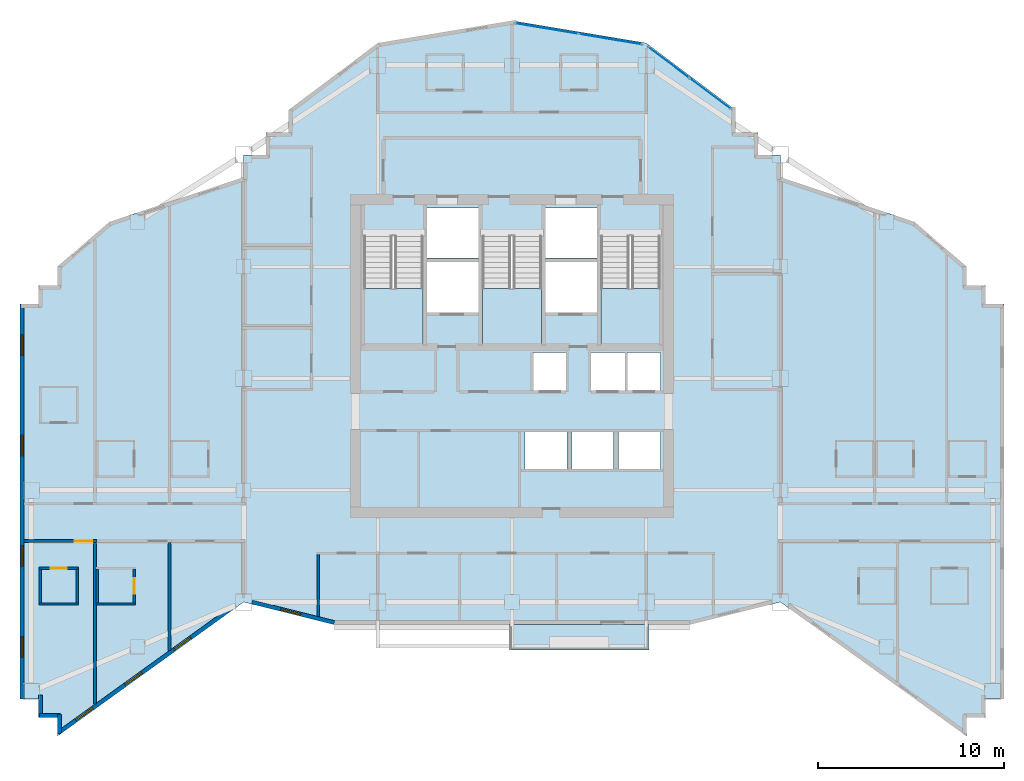
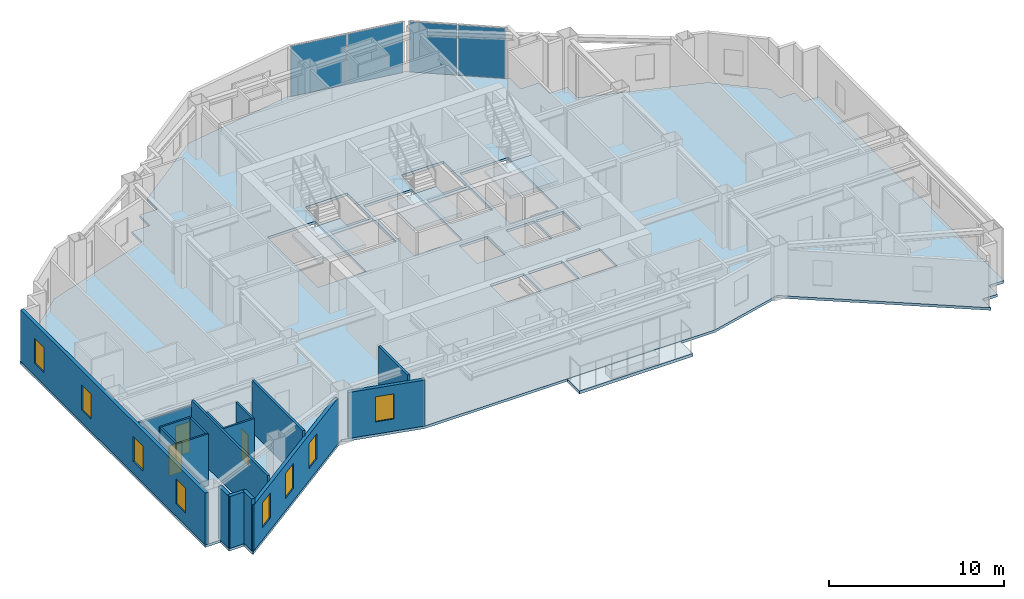
# One storey, part 4 of 11: 17 walls, 8 windows, 5 slabs, 4 plates, 3 doors, 11 openings, 5 elements without a shape of their own.
"""IFC4 building model written with IfcOpenShell, lengths in metres."""

from ifc_helpers import new_model, si_unit, direction, frame, frame_2d, origin, origin_2d, place, context, subcontext, project, spatial, polyline, rectangle, outline, extrude, material, layer, layer_set, type_object, element, fill, aggregate, save


model = new_model("IFC4")

# Units and contexts
model_context = context("Model", 3, precision=1e-05, world=origin(), true_north=direction((0.0, 1.0)))
body_context = subcontext(model_context, "Body", "Model", "MODEL_VIEW")
ifc_project = project(units=[si_unit("LENGTHUNIT", "METRE"), si_unit("AREAUNIT", "SQUARE_METRE"), si_unit("VOLUMEUNIT", "CUBIC_METRE"), si_unit("PLANEANGLEUNIT", "RADIAN"), si_unit("MASSUNIT", "GRAM", prefix="KILO")], contexts=[model_context])

# Site, building, storey
site_placement = place(None, origin())
site = spatial("IfcSite", under=ifc_project, at=site_placement, CompositionType="ELEMENT")
building_placement = place(site_placement, origin())
building = spatial("IfcBuilding", under=site, at=building_placement, Name="Haolan Belvedere Tower", CompositionType="ELEMENT")
storey_placement = place(building_placement, frame((0.0, 0.0, 211.60009765625)))
storey = spatial("IfcBuildingStorey", under=building, at=storey_placement, Name="L53", CompositionType="ELEMENT", Elevation=211.60009765625)

# Curtain wall, plates
ifc_material_1 = material(Name="Anodised champagne-silver aluminium 6063-T6 and Low-E glass", Category="aluminium")
ifc_layer_1 = layer(ifc_material_1, 0.14990234375, Name="Anodised champagne-silver aluminium 6063-T6 and Low-E glass")
ifc_layer_set_1 = layer_set([ifc_layer_1], Name="Anodised champagne-silver aluminium 6063-T6 and Low-E glass")
curtain_wall_type = type_object("IfcCurtainWallType", Name="CW-SYS-04", PredefinedType="NOTDEFINED", material=ifc_layer_set_1)
curtain_wall_1_placement = place(storey_placement, origin())
curtain_wall_1 = element("IfcCurtainWall", 1, at=curtain_wall_1_placement, inside=storey, type_object=curtain_wall_type, Name="L53 CW-SYS-04 ribbon curtain wall 20.1", PredefinedType="NOTDEFINED")
ifc_material_2 = material(Name="Double silver Low-E laminated insulating glass", Category="glass")
ifc_layer_2 = layer(ifc_material_2, 0.02392578125, Name="Double silver Low-E laminated insulating glass")
ifc_layer_set_2 = layer_set([ifc_layer_2], Name="Double silver Low-E laminated insulating glass")
plate_type = type_object("IfcPlateType", Name="CW-SYS-04-PNL", PredefinedType="CURTAIN_PANEL", material=ifc_layer_set_2)
plate_1_placement = place(storey_placement, frame((49.0390625, 48.883056640625, 0.0517578125), z_axis=(0.0, 0.0, 1.0), x_axis=(-0.799997871638, 0.600002837806, 0.0)))
plate_1 = element("IfcPlate", 2, at=plate_1_placement, type_object=plate_type, Name="CW-04 panel 1.1", PredefinedType="CURTAIN_PANEL", context=body_context, shape_type="SweptSolid", body=[
    extrude(rectangle(XDim=2.735107421875, YDim=0.02392578125, at=origin_2d()), origin(), (0.0, 0.0, 1.0), 3.51611328125),
])
plate_2_placement = place(storey_placement, frame((46.806396484375, 50.557861328125, 0.0517578125), z_axis=(0.0, 0.0, 1.0), x_axis=(-0.799997871638, 0.600002837806, 0.0)))
plate_2 = element("IfcPlate", 3, at=plate_2_placement, type_object=plate_type, Name="CW-04 panel 2.1", PredefinedType="CURTAIN_PANEL", context=body_context, shape_type="SweptSolid", body=[
    extrude(rectangle(XDim=2.735107421875, YDim=0.02392578125, at=origin_2d()), origin(), (0.0, 0.0, 1.0), 3.51611328125),
])
aggregate(curtain_wall_1, [plate_1, plate_2])

curtain_wall_2_placement = place(storey_placement, origin())
curtain_wall_2 = element("IfcCurtainWall", 4, at=curtain_wall_2_placement, inside=storey, type_object=curtain_wall_type, Name="L53 CW-SYS-04 ribbon curtain wall 21.1", PredefinedType="NOTDEFINED")
plate_3_placement = place(storey_placement, frame((43.683837890625, 51.807861328125, 0.0517578125), z_axis=(0.0, 0.0, 1.0), x_axis=(-0.98639276122, 0.164405962825, 0.0)))
plate_3 = element("IfcPlate", 5, at=plate_3_placement, type_object=plate_type, Name="CW-04 panel 1.1", PredefinedType="CURTAIN_PANEL", context=body_context, shape_type="SweptSolid", body=[
    extrude(rectangle(XDim=3.403076171875, YDim=0.02392578125, at=origin_2d()), origin(), (0.0, 0.0, 1.0), 3.51611328125),
])
plate_4_placement = place(storey_placement, frame((40.271728515625, 52.37646484375, 0.0517578125), z_axis=(0.0, 0.0, 1.0), x_axis=(-0.98639276122, 0.164405962825, 0.0)))
plate_4 = element("IfcPlate", 6, at=plate_4_placement, type_object=plate_type, Name="CW-04 panel 2.1", PredefinedType="CURTAIN_PANEL", context=body_context, shape_type="SweptSolid", body=[
    extrude(rectangle(XDim=3.403076171875, YDim=0.02392578125, at=origin_2d()), origin(), (0.0, 0.0, 1.0), 3.51611328125),
])
aggregate(curtain_wall_2, [plate_3, plate_4])

# Slabs
ifc_material_3 = material(Name="Concrete C40/50", Category="concrete")
ifc_layer_3 = layer(ifc_material_3, 0.2099609375, Name="Concrete C40/50")
ifc_layer_set_3 = layer_set([ifc_layer_3], Name="Concrete C40/50")
slab_type_1 = type_object("IfcSlabType", Name="SL-BAL-210", PredefinedType="FLOOR", material=ifc_layer_set_3)
slab_1_placement = place(storey_placement, frame((0.0, 0.0, -0.22998046875)))
element("IfcSlab", 7, at=slab_1_placement, inside=storey, type_object=slab_type_1, Name="L53 structural tree-planter balcony slab BAL-L53-S1", PredefinedType="FLOOR", context=body_context, shape_type="SweptSolid", body=[
    extrude(outline(polyline([(38.25, 19.02001953125), (45.75, 19.02001953125), (45.75, 20.39990234375), (38.25, 20.39990234375), (38.25, 19.02001953125)])), origin(), (0.0, 0.0, 1.0), 0.2099609375),
])
ifc_layer_4 = layer(ifc_material_3, 0.179931640625, Name="Concrete C40/50")
ifc_layer_set_4 = layer_set([ifc_layer_4], Name="Concrete C40/50")
slab_type_2 = type_object("IfcSlabType", Name="SL-FLR-180", PredefinedType="FLOOR", material=ifc_layer_set_4)
slab_2_placement = place(storey_placement, frame((0.0, 0.0, -0.18017578125)))
element("IfcSlab", 8, at=slab_2_placement, inside=storey, type_object=slab_type_2, Name="L53 structural floor slab", PredefinedType="FLOOR", context=body_context, shape_type="SweptSolid", body=[
    extrude(outline(polyline([(24.0, 21.60009765625), (28.800048828125, 20.39990234375), (48.0, 20.39990234375), (52.800048828125, 21.60009765625), (62.800048828125, 14.39990234375), (62.800048828125, 15.39990234375), (63.800048828125, 15.39990234375), (63.800048828125, 16.39990234375), (64.800048828125, 16.39990234375), (64.800048828125, 37.60009765625), (63.800048828125, 37.60009765625), (63.800048828125, 38.60009765625), (62.800048828125, 38.60009765625), (62.800048828125, 39.60009765625), (60.0, 42.0), (52.800048828125, 44.39990234375), (52.800048828125, 45.60009765625), (51.60009765625, 45.60009765625), (51.60009765625, 46.800048828125), (50.39990234375, 46.800048828125), (50.39990234375, 48.0), (45.60009765625, 51.60009765625), (38.39990234375, 52.800048828125), (31.199951171875, 51.60009765625), (26.39990234375, 48.0), (26.39990234375, 46.800048828125), (25.199951171875, 46.800048828125), (25.199951171875, 45.60009765625), (24.0, 45.60009765625), (24.0, 44.39990234375), (16.800048828125, 42.0), (14.0, 39.60009765625), (14.0, 38.60009765625), (13.0, 38.60009765625), (13.0, 37.60009765625), (12.0, 37.60009765625), (12.0, 16.800048828125), (12.0, 16.39990234375), (13.0, 16.39990234375), (13.0, 15.39990234375), (14.0, 15.39990234375), (14.0, 14.39990234375), (24.0, 21.60009765625)]), holes=[polyline([(30.449951171875, 41.22998046875), (30.449951171875, 35.449951171875), (33.6298828125, 35.449951171875), (33.6298828125, 41.22998046875), (30.449951171875, 41.22998046875)]), polyline([(36.81005859375, 41.22998046875), (36.81005859375, 35.449951171875), (39.989990234375, 35.449951171875), (39.989990234375, 41.22998046875), (36.81005859375, 41.22998046875)]), polyline([(43.169921875, 41.22998046875), (43.169921875, 35.449951171875), (46.35009765625, 35.449951171875), (46.35009765625, 41.22998046875), (43.169921875, 41.22998046875)]), polyline([(33.830078125, 40.050048828125), (36.610107421875, 40.050048828125), (36.610107421875, 42.75), (33.830078125, 42.75), (33.830078125, 40.050048828125)]), polyline([(33.830078125, 37.14990234375), (36.610107421875, 37.14990234375), (36.610107421875, 39.85009765625), (33.830078125, 39.85009765625), (33.830078125, 37.14990234375)]), polyline([(40.18994140625, 40.050048828125), (42.969970703125, 40.050048828125), (42.969970703125, 42.75), (40.18994140625, 42.75), (40.18994140625, 40.050048828125)]), polyline([(40.18994140625, 37.14990234375), (42.969970703125, 37.14990234375), (42.969970703125, 39.85009765625), (40.18994140625, 39.85009765625), (40.18994140625, 37.14990234375)]), polyline([(39.5400390625, 32.949951171875), (41.389892578125, 32.949951171875), (41.389892578125, 35.0), (39.5400390625, 35.0), (39.5400390625, 32.949951171875)]), polyline([(42.6201171875, 32.949951171875), (44.469970703125, 32.949951171875), (44.469970703125, 35.0), (42.6201171875, 35.0), (42.6201171875, 32.949951171875)]), polyline([(44.580078125, 32.949951171875), (46.3798828125, 32.949951171875), (46.3798828125, 35.0), (44.580078125, 35.0), (44.580078125, 32.949951171875)]), polyline([(39.10009765625, 28.75), (41.340087890625, 28.75), (41.340087890625, 30.75), (39.10009765625, 30.75), (39.10009765625, 28.75)]), polyline([(41.610107421875, 28.75), (43.85009765625, 28.75), (43.85009765625, 30.75), (41.610107421875, 30.75), (41.610107421875, 28.75)]), polyline([(44.1201171875, 28.75), (46.360107421875, 28.75), (46.360107421875, 30.75), (44.1201171875, 30.75), (44.1201171875, 28.75)])]), origin(), (0.0, 0.0, 1.0), 0.18017578125),
])

# Stair, slab
stair_type = type_object("IfcStairType", Name="STR-DL-22R-173", PredefinedType="HALF_TURN_STAIR", material=ifc_material_3)
stair_1_placement = place(storey_placement, origin())
stair_1 = element("IfcStair", 9, at=stair_1_placement, inside=storey, type_object=stair_type, Name="L53 Smokeproof Core Exit Stair ST1", PredefinedType="HALF_TURN_STAIR")
ifc_layer_5 = layer(ifc_material_3, 0.199951171875, Name="Concrete C40/50")
ifc_layer_set_5 = layer_set([ifc_layer_5], Name="Concrete C40/50")
slab_type_3 = type_object("IfcSlabType", Name="SL-LAND-200", PredefinedType="LANDING", material=ifc_layer_set_5)
slab_3_placement = place(storey_placement, frame((0.0, 0.0, 1.699951171875)))
slab_3 = element("IfcSlab", 10, at=slab_3_placement, type_object=slab_type_3, Name="ST1 landing 1", PredefinedType="LANDING", context=body_context, shape_type="SweptSolid", body=[
    extrude(outline(polyline([(30.449951171875, 38.429931640625), (30.449951171875, 35.449951171875), (33.6298828125, 35.449951171875), (33.6298828125, 38.429931640625), (30.449951171875, 38.429931640625)])), origin(), (0.0, 0.0, 1.0), 0.199951171875),
])
aggregate(stair_1, [slab_3])

stair_2_placement = place(storey_placement, origin())
stair_2 = element("IfcStair", 11, at=stair_2_placement, inside=storey, type_object=stair_type, Name="L53 Smokeproof Core Exit Stair ST3", PredefinedType="HALF_TURN_STAIR")
slab_4_placement = place(storey_placement, frame((0.0, 0.0, 1.699951171875)))
slab_4 = element("IfcSlab", 12, at=slab_4_placement, type_object=slab_type_3, Name="ST3 landing 1", PredefinedType="LANDING", context=body_context, shape_type="SweptSolid", body=[
    extrude(outline(polyline([(36.81005859375, 38.429931640625), (36.81005859375, 35.449951171875), (39.989990234375, 35.449951171875), (39.989990234375, 38.429931640625), (36.81005859375, 38.429931640625)])), origin(), (0.0, 0.0, 1.0), 0.199951171875),
])
aggregate(stair_2, [slab_4])

stair_3_placement = place(storey_placement, origin())
stair_3 = element("IfcStair", 13, at=stair_3_placement, inside=storey, type_object=stair_type, Name="L53 Smokeproof Core Exit Stair ST2", PredefinedType="HALF_TURN_STAIR")
slab_5_placement = place(storey_placement, frame((0.0, 0.0, 1.699951171875)))
slab_5 = element("IfcSlab", 14, at=slab_5_placement, type_object=slab_type_3, Name="ST2 landing 1", PredefinedType="LANDING", context=body_context, shape_type="SweptSolid", body=[
    extrude(outline(polyline([(43.169921875, 38.429931640625), (43.169921875, 35.449951171875), (46.35009765625, 35.449951171875), (46.35009765625, 38.429931640625), (43.169921875, 38.429931640625)])), origin(), (0.0, 0.0, 1.0), 0.199951171875),
])
aggregate(stair_3, [slab_5])

# Wall, openings, windows
ifc_material_4 = material(Name="Precast concrete C40/50", Category="concrete")
ifc_layer_6 = layer(ifc_material_4, 0.219970703125, Name="Precast concrete C40/50")
ifc_layer_set_6 = layer_set([ifc_layer_6], Name="Precast concrete C40/50")
wall_type_1 = type_object("IfcWallType", Name="WL-EXT-220", PredefinedType="SOLIDWALL", material=ifc_layer_set_6)
wall_1_placement = place(storey_placement, frame((12.110107421875, 37.544921875, 0.0), z_axis=(0.0, 0.0, 1.0), x_axis=(0.0, -1.0, 0.0)))
wall_1 = element("IfcWall", 15, at=wall_1_placement, inside=storey, type_object=wall_type_1, Name="L53 pale-metal exterior spandrel wall 35.1", PredefinedType="SOLIDWALL", context=body_context, shape_type="SweptSolid", body=[
    extrude(rectangle(XDim=21.14501953125, YDim=0.219970703125, at=frame_2d((10.572509765625, 0.0))), origin(), (0.0, 0.0, 1.0), 3.619873046875),
])
opening_1_placement = place(wall_1_placement, frame((1.60009765625, 0.0, 0.85009765625)))
opening_1 = element("IfcOpeningElement", 16, at=opening_1_placement, cuts=wall_1, Name="Opening W-03", PredefinedType="OPENING", context=body_context, shape_type="SweptSolid", body=[
    extrude(rectangle(XDim=1.10009765625, YDim=1.75, at=frame_2d((0.550048828125, 0.875))), frame((0.0, 0.119873046875, 0.0), z_axis=(0.0, -1.0, 0.0), x_axis=(1.0, 0.0, 0.0)), (0.0, 0.0, 1.0), 0.239990234375),
])
opening_2_placement = place(wall_1_placement, frame((7.0, 0.0, 0.85009765625)))
opening_2 = element("IfcOpeningElement", 17, at=opening_2_placement, cuts=wall_1, Name="Opening W-03", PredefinedType="OPENING", context=body_context, shape_type="SweptSolid", body=[
    extrude(rectangle(XDim=1.10009765625, YDim=1.75, at=frame_2d((0.550048828125, 0.875))), frame((0.0, 0.119873046875, 0.0), z_axis=(0.0, -1.0, 0.0), x_axis=(1.0, 0.0, 0.0)), (0.0, 0.0, 1.0), 0.239990234375),
])
opening_3_placement = place(wall_1_placement, frame((12.909912109375, 0.0, 0.85009765625)))
opening_3 = element("IfcOpeningElement", 18, at=opening_3_placement, cuts=wall_1, Name="Opening W-03", PredefinedType="OPENING", context=body_context, shape_type="SweptSolid", body=[
    extrude(rectangle(XDim=1.10009765625, YDim=1.75, at=frame_2d((0.550048828125, 0.875))), frame((0.0, 0.119873046875, 0.0), z_axis=(0.0, -1.0, 0.0), x_axis=(1.0, 0.0, 0.0)), (0.0, 0.0, 1.0), 0.239990234375),
])
opening_4_placement = place(wall_1_placement, frame((17.800048828125, 0.0, 0.85009765625)))
opening_4 = element("IfcOpeningElement", 19, at=opening_4_placement, cuts=wall_1, Name="Opening W-03", PredefinedType="OPENING", context=body_context, shape_type="SweptSolid", body=[
    extrude(rectangle(XDim=1.10009765625, YDim=1.75, at=frame_2d((0.550048828125, 0.875))), frame((0.0, 0.119873046875, 0.0), z_axis=(0.0, -1.0, 0.0), x_axis=(1.0, 0.0, 0.0)), (0.0, 0.0, 1.0), 0.239990234375),
])
ifc_material_5 = material(Name="Anodised aluminium 6063-T6 and Low-E glass", Category="aluminium")
window_type = type_object("IfcWindowType", Name="WN-DECO-Z3", PartitioningType="SINGLE_PANEL", PredefinedType="WINDOW", material=ifc_material_5)
window_1_placement = place(opening_1_placement, origin())
window_1 = element("IfcWindow", 20, at=window_1_placement, inside=storey, type_object=window_type, Name="L53 Art Deco chevron window 1", OverallHeight=1.75, OverallWidth=1.10009765625, PartitioningType="SINGLE_PANEL", PredefinedType="WINDOW", context=body_context, shape_type="SweptSolid", body=[
    extrude(rectangle(XDim=1.10009765625, YDim=1.75, at=frame_2d((0.550048828125, 0.875))), frame((0.0, 0.030029296875, 0.0), z_axis=(0.0, -1.0, 0.0), x_axis=(1.0, 0.0, 0.0)), (0.0, 0.0, 1.0), 0.06005859375),
])
fill(opening_1, window_1)
window_2_placement = place(opening_2_placement, origin())
window_2 = element("IfcWindow", 21, at=window_2_placement, inside=storey, type_object=window_type, Name="L53 Art Deco chevron window 2", OverallHeight=1.75, OverallWidth=1.10009765625, PartitioningType="SINGLE_PANEL", PredefinedType="WINDOW", context=body_context, shape_type="SweptSolid", body=[
    extrude(rectangle(XDim=1.10009765625, YDim=1.75, at=frame_2d((0.550048828125, 0.875))), frame((0.0, 0.030029296875, 0.0), z_axis=(0.0, -1.0, 0.0), x_axis=(1.0, 0.0, 0.0)), (0.0, 0.0, 1.0), 0.06005859375),
])
fill(opening_2, window_2)
window_3_placement = place(opening_3_placement, origin())
window_3 = element("IfcWindow", 22, at=window_3_placement, inside=storey, type_object=window_type, Name="L53 Art Deco chevron window 3", OverallHeight=1.75, OverallWidth=1.10009765625, PartitioningType="SINGLE_PANEL", PredefinedType="WINDOW", context=body_context, shape_type="SweptSolid", body=[
    extrude(rectangle(XDim=1.10009765625, YDim=1.75, at=frame_2d((0.550048828125, 0.875))), frame((0.0, 0.030029296875, 0.0), z_axis=(0.0, -1.0, 0.0), x_axis=(1.0, 0.0, 0.0)), (0.0, 0.0, 1.0), 0.06005859375),
])
fill(opening_3, window_3)
window_4_placement = place(opening_4_placement, origin())
window_4 = element("IfcWindow", 23, at=window_4_placement, inside=storey, type_object=window_type, Name="L53 Art Deco chevron window 4", OverallHeight=1.75, OverallWidth=1.10009765625, PartitioningType="SINGLE_PANEL", PredefinedType="WINDOW", context=body_context, shape_type="SweptSolid", body=[
    extrude(rectangle(XDim=1.10009765625, YDim=1.75, at=frame_2d((0.550048828125, 0.875))), frame((0.0, 0.030029296875, 0.0), z_axis=(0.0, -1.0, 0.0), x_axis=(1.0, 0.0, 0.0)), (0.0, 0.0, 1.0), 0.06005859375),
])
fill(opening_4, window_4)

# Walls
wall_2_placement = place(storey_placement, frame((13.110107421875, 16.6201171875, 0.0), z_axis=(0.0, 0.0, 1.0), x_axis=(0.0, -1.0, 0.0)))
element("IfcWall", 24, at=wall_2_placement, inside=storey, type_object=wall_type_1, Name="L53 pale-metal exterior spandrel wall 37.1", PredefinedType="SOLIDWALL", context=body_context, shape_type="SweptSolid", body=[
    extrude(rectangle(XDim=1.1650390625, YDim=0.219970703125, at=frame_2d((0.58251953125, 0.0))), origin(), (0.0, 0.0, 1.0), 3.619873046875),
])
wall_3_placement = place(storey_placement, frame((13.054931640625, 15.510009765625, 0.0), z_axis=(0.0, 0.0, 1.0), x_axis=(1.0, 0.0, 0.0)))
element("IfcWall", 25, at=wall_3_placement, inside=storey, type_object=wall_type_1, Name="L53 pale-metal exterior spandrel wall 38.1", PredefinedType="SOLIDWALL", context=body_context, shape_type="SweptSolid", body=[
    extrude(rectangle(XDim=1.110107421875, YDim=0.219970703125, at=frame_2d((0.55517578125, 0.0))), origin(), (0.0, 0.0, 1.0), 3.619873046875),
])
wall_4_placement = place(storey_placement, frame((14.110107421875, 15.56494140625, 0.0), z_axis=(0.0, 0.0, 1.0), x_axis=(0.0, -1.0, 0.0)))
element("IfcWall", 26, at=wall_4_placement, inside=storey, type_object=wall_type_1, Name="L53 pale-metal exterior spandrel wall 39.1", PredefinedType="SOLIDWALL", context=body_context, shape_type="SweptSolid", body=[
    extrude(rectangle(XDim=1.005126953125, YDim=0.219970703125, at=frame_2d((0.50244140625, 0.0))), origin(), (0.0, 0.0, 1.0), 3.619873046875),
])

# Wall, openings, windows
wall_5_placement = place(storey_placement, frame((14.0654296875, 14.58251953125, 0.0), z_axis=(0.0, 0.0, 1.0), x_axis=(0.811534737332, 0.58430417601, 0.0)))
wall_5 = element("IfcWall", 27, at=wall_5_placement, inside=storey, type_object=wall_type_1, Name="L53 pale-metal exterior spandrel wall 40.1", PredefinedType="SOLIDWALL", context=body_context, shape_type="SweptSolid", body=[
    extrude(rectangle(XDim=11.697265625, YDim=0.219970703125, at=frame_2d((5.8486328125, 0.0))), origin(), (0.0, 0.0, 1.0), 3.21484375),
])
opening_5_placement = place(wall_5_placement, frame((1.1591796875, 0.0, 0.85009765625)))
opening_5 = element("IfcOpeningElement", 28, at=opening_5_placement, cuts=wall_5, Name="Opening W-03", PredefinedType="OPENING", context=body_context, shape_type="SweptSolid", body=[
    extrude(rectangle(XDim=1.10009765625, YDim=1.75, at=frame_2d((0.550048828125, 0.875))), frame((0.0, 0.119873046875, 0.0), z_axis=(0.0, -1.0, 0.0), x_axis=(1.0, 0.0, 0.0)), (0.0, 0.0, 1.0), 0.239990234375),
])
opening_6_placement = place(wall_5_placement, frame((7.64599609375, 0.0, 0.85009765625)))
opening_6 = element("IfcOpeningElement", 29, at=opening_6_placement, cuts=wall_5, Name="Opening W-03", PredefinedType="OPENING", context=body_context, shape_type="SweptSolid", body=[
    extrude(rectangle(XDim=1.10009765625, YDim=1.75, at=frame_2d((0.550048828125, 0.875))), frame((0.0, 0.119873046875, 0.0), z_axis=(0.0, -1.0, 0.0), x_axis=(1.0, 0.0, 0.0)), (0.0, 0.0, 1.0), 0.239990234375),
])
opening_7_placement = place(wall_5_placement, frame((4.402587890625, 0.0, 0.85009765625)))
opening_7 = element("IfcOpeningElement", 30, at=opening_7_placement, cuts=wall_5, Name="Opening W-03", PredefinedType="OPENING", context=body_context, shape_type="SweptSolid", body=[
    extrude(rectangle(XDim=1.10009765625, YDim=1.75, at=frame_2d((0.550048828125, 0.875))), frame((0.0, 0.119873046875, 0.0), z_axis=(0.0, -1.0, 0.0), x_axis=(1.0, 0.0, 0.0)), (0.0, 0.0, 1.0), 0.239990234375),
])
window_5_placement = place(opening_5_placement, origin())
window_5 = element("IfcWindow", 31, at=window_5_placement, inside=storey, type_object=window_type, Name="L53 Art Deco chevron window 1", OverallHeight=1.75, OverallWidth=1.10009765625, PartitioningType="SINGLE_PANEL", PredefinedType="WINDOW", context=body_context, shape_type="SweptSolid", body=[
    extrude(rectangle(XDim=1.10009765625, YDim=1.75, at=frame_2d((0.550048828125, 0.875))), frame((0.0, 0.030029296875, 0.0), z_axis=(0.0, -1.0, 0.0), x_axis=(1.0, 0.0, 0.0)), (0.0, 0.0, 1.0), 0.06005859375),
])
fill(opening_5, window_5)
window_6_placement = place(opening_6_placement, origin())
window_6 = element("IfcWindow", 32, at=window_6_placement, inside=storey, type_object=window_type, Name="L53 Art Deco chevron window 2", OverallHeight=1.75, OverallWidth=1.10009765625, PartitioningType="SINGLE_PANEL", PredefinedType="WINDOW", context=body_context, shape_type="SweptSolid", body=[
    extrude(rectangle(XDim=1.10009765625, YDim=1.75, at=frame_2d((0.550048828125, 0.875))), frame((0.0, 0.030029296875, 0.0), z_axis=(0.0, -1.0, 0.0), x_axis=(1.0, 0.0, 0.0)), (0.0, 0.0, 1.0), 0.06005859375),
])
fill(opening_6, window_6)
window_7_placement = place(opening_7_placement, origin())
window_7 = element("IfcWindow", 33, at=window_7_placement, inside=storey, type_object=window_type, Name="L53 Art Deco guestroom window 2", OverallHeight=1.75, OverallWidth=1.10009765625, PartitioningType="SINGLE_PANEL", PredefinedType="WINDOW", context=body_context, shape_type="SweptSolid", body=[
    extrude(rectangle(XDim=1.10009765625, YDim=1.75, at=frame_2d((0.550048828125, 0.875))), frame((0.0, 0.030029296875, 0.0), z_axis=(0.0, -1.0, 0.0), x_axis=(1.0, 0.0, 0.0)), (0.0, 0.0, 1.0), 0.06005859375),
])
fill(opening_7, window_7)

# Wall, opening, window
wall_6_placement = place(storey_placement, frame((24.44189453125, 21.602783203125, 0.0), z_axis=(0.0, 0.0, 1.0), x_axis=(0.970145648609, -0.242523030833, 0.0)))
wall_6 = element("IfcWall", 34, at=wall_6_placement, inside=storey, type_object=wall_type_1, Name="L53 pale-metal exterior spandrel wall 41.1", PredefinedType="SOLIDWALL", context=body_context, shape_type="SweptSolid", body=[
    extrude(rectangle(XDim=4.561279296875, YDim=0.219970703125, at=frame_2d((2.28076171875, 0.0))), origin(), (0.0, 0.0, 1.0), 3.21484375),
])
opening_8_placement = place(wall_6_placement, frame((1.60009765625, 0.0, 0.85009765625)))
opening_8 = element("IfcOpeningElement", 35, at=opening_8_placement, cuts=wall_6, Name="Opening W-03", PredefinedType="OPENING", context=body_context, shape_type="SweptSolid", body=[
    extrude(rectangle(XDim=1.10009765625, YDim=1.75, at=frame_2d((0.550048828125, 0.875))), frame((0.0, 0.119873046875, 0.0), z_axis=(0.0, -1.0, 0.0), x_axis=(1.0, 0.0, 0.0)), (0.0, 0.0, 1.0), 0.239990234375),
])
window_8_placement = place(opening_8_placement, origin())
window_8 = element("IfcWindow", 36, at=window_8_placement, inside=storey, type_object=window_type, Name="L53 Art Deco chevron window 1", OverallHeight=1.75, OverallWidth=1.10009765625, PartitioningType="SINGLE_PANEL", PredefinedType="WINDOW", context=body_context, shape_type="SweptSolid", body=[
    extrude(rectangle(XDim=1.10009765625, YDim=1.75, at=frame_2d((0.550048828125, 0.875))), frame((0.0, 0.030029296875, 0.0), z_axis=(0.0, -1.0, 0.0), x_axis=(1.0, 0.0, 0.0)), (0.0, 0.0, 1.0), 0.06005859375),
])
fill(opening_8, window_8)

# Wall
ifc_material_6 = material(Name="Double gypsum acoustic stud partition", Category="masonry")
ifc_layer_7 = layer(ifc_material_6, 0.14990234375, Name="Double gypsum acoustic stud partition")
ifc_layer_set_7 = layer_set([ifc_layer_7], Name="Double gypsum acoustic stud partition")
wall_type_2 = type_object("IfcWallType", Name="WL-PART-150", PredefinedType="PARTITIONING", material=ifc_layer_set_7)
wall_7_placement = place(storey_placement, frame((28.0, 20.818603515625, 0.0), z_axis=(0.0, 0.0, 1.0), x_axis=(0.0, 1.0, 0.0)))
element("IfcWall", 37, at=wall_7_placement, inside=storey, type_object=wall_type_2, Name="L53 interior partition IW-L53-KS2-W", PredefinedType="PARTITIONING", context=body_context, shape_type="SweptSolid", body=[
    extrude(rectangle(XDim=3.34130859375, YDim=0.14990234375, at=frame_2d((1.670654296875, 0.0))), origin(), (0.0, 0.0, 1.0), 3.619873046875),
])

# Wall, opening, door
wall_8_placement = place(storey_placement, frame((12.2119140625, 24.8701171875, 0.0), z_axis=(0.0, 0.0, 1.0), x_axis=(1.0, 0.0, 0.0)))
wall_8 = element("IfcWall", 38, at=wall_8_placement, inside=storey, type_object=wall_type_2, Name="L53 interior partition IW-L53-T2S1-N", PredefinedType="PARTITIONING", context=body_context, shape_type="SweptSolid", body=[
    extrude(rectangle(XDim=3.91796875, YDim=0.14990234375, at=frame_2d((1.958984375, 0.0))), origin(), (0.0, 0.0, 1.0), 3.2548828125),
])
opening_9_placement = place(wall_8_placement, frame((3.663330078125, 0.0, 0.0), z_axis=(0.0, 0.0, 1.0), x_axis=(-1.0, 0.0, 0.0)))
opening_9 = element("IfcOpeningElement", 39, at=opening_9_placement, cuts=wall_8, Name="Opening ID-02", PredefinedType="OPENING", context=body_context, shape_type="SweptSolid", body=[
    extrude(rectangle(XDim=0.949951171875, YDim=2.14990234375, at=frame_2d((0.47509765625, 1.074951171875))), frame((0.0, 0.0849609375, 0.0), z_axis=(0.0, -1.0, 0.0), x_axis=(1.0, 0.0, 0.0)), (0.0, 0.0, 1.0), 0.169921875),
])
ifc_material_7 = material(Name="Acoustic oak veneer fire-rated timber", Category="wood")
door_type_1 = type_object("IfcDoorType", Name="DR-GUEST-950", OperationType="NOTDEFINED", PredefinedType="DOOR", material=ifc_material_7)
door_1_placement = place(opening_9_placement, origin())
door_1 = element("IfcDoor", 40, at=door_1_placement, inside=storey, type_object=door_type_1, Name="L53 door ID-L53-T2S1-ENT", OperationType="SINGLE_SWING_LEFT", OverallHeight=2.14990234375, OverallWidth=0.949951171875, PredefinedType="DOOR", context=body_context, shape_type="SweptSolid", body=[
    extrude(rectangle(XDim=0.949951171875, YDim=2.14990234375, at=frame_2d((0.47509765625, 1.074951171875))), frame((0.0, 0.02490234375, 0.0), z_axis=(0.0, -1.0, 0.0), x_axis=(1.0, 0.0, 0.0)), (0.0, 0.0, 1.0), 0.050048828125),
])
fill(opening_9, door_1)

# Walls
wall_9_placement = place(storey_placement, frame((16.030029296875, 16.122802734375, 0.0), z_axis=(0.0, 0.0, 1.0), x_axis=(0.0, 1.0, 0.0)))
element("IfcWall", 41, at=wall_9_placement, inside=storey, type_object=wall_type_2, Name="L53 interior partition IW-L53-T2S1-E", PredefinedType="PARTITIONING", context=body_context, shape_type="SweptSolid", body=[
    extrude(rectangle(XDim=8.687255859375, YDim=0.14990234375, at=frame_2d((4.34375, 0.0))), origin(), (0.0, 0.0, 1.0), 3.619873046875),
])
wall_10_placement = place(storey_placement, frame((20.02001953125, 18.99560546875, 0.0), z_axis=(0.0, 0.0, 1.0), x_axis=(0.0, 1.0, 0.0)))
element("IfcWall", 42, at=wall_10_placement, inside=storey, type_object=wall_type_2, Name="L53 interior partition IW-L53-T2S2-E", PredefinedType="PARTITIONING", context=body_context, shape_type="SweptSolid", body=[
    extrude(rectangle(XDim=5.814453125, YDim=0.14990234375, at=frame_2d((2.9072265625, 0.0))), origin(), (0.0, 0.0, 1.0), 3.619873046875),
])

# Wall, opening, door
ifc_material_8 = material(Name="Moisture-resistant gypsum tile partition", Category="masonry")
ifc_layer_8 = layer(ifc_material_8, 0.1201171875, Name="Moisture-resistant gypsum tile partition")
ifc_layer_set_8 = layer_set([ifc_layer_8], Name="Moisture-resistant gypsum tile partition")
wall_type_3 = type_object("IfcWallType", Name="WL-WET-120", PredefinedType="PARTITIONING", material=ifc_layer_set_8)
wall_11_placement = place(storey_placement, frame((13.030029296875, 23.419921875, 0.0), z_axis=(0.0, 0.0, 1.0), x_axis=(1.0, 0.0, 0.0)))
wall_11 = element("IfcWall", 43, at=wall_11_placement, inside=storey, type_object=wall_type_3, Name="L53 interior partition IW-L53-T2S1-BN", PredefinedType="PARTITIONING", context=body_context, shape_type="SweptSolid", body=[
    extrude(rectangle(XDim=2.099853515625, YDim=0.1201171875, at=frame_2d((1.0498046875, 0.0))), origin(), (0.0, 0.0, 1.0), 3.619873046875),
])
opening_10_placement = place(wall_11_placement, frame((1.47509765625, 0.0, 0.0), z_axis=(0.0, 0.0, 1.0), x_axis=(-1.0, 0.0, 0.0)))
opening_10 = element("IfcOpeningElement", 44, at=opening_10_placement, cuts=wall_11, Name="Opening ID-05", PredefinedType="OPENING", context=body_context, shape_type="SweptSolid", body=[
    extrude(rectangle(XDim=0.85009765625, YDim=2.10009765625, at=frame_2d((0.425048828125, 1.050048828125))), frame((0.0, 0.070068359375, 0.0), z_axis=(0.0, -1.0, 0.0), x_axis=(1.0, 0.0, 0.0)), (0.0, 0.0, 1.0), 0.14013671875),
])
ifc_material_9 = material(Name="Moisture-resistant lacquered timber", Category="wood")
door_type_2 = type_object("IfcDoorType", Name="DR-BATH-850", OperationType="NOTDEFINED", PredefinedType="DOOR", material=ifc_material_9)
door_2_placement = place(opening_10_placement, origin())
door_2 = element("IfcDoor", 45, at=door_2_placement, inside=storey, type_object=door_type_2, Name="L53 door ID-L53-T2S1-BATH", OperationType="SINGLE_SWING_RIGHT", OverallHeight=2.10009765625, OverallWidth=0.85009765625, PredefinedType="DOOR", context=body_context, shape_type="SweptSolid", body=[
    extrude(rectangle(XDim=0.85009765625, YDim=2.10009765625, at=frame_2d((0.425048828125, 1.050048828125))), frame((0.0, 0.02490234375, 0.0), z_axis=(0.0, -1.0, 0.0), x_axis=(1.0, 0.0, 0.0)), (0.0, 0.0, 1.0), 0.050048828125),
])
fill(opening_10, door_2)

# Walls
wall_12_placement = place(storey_placement, frame((13.030029296875, 21.5, 0.0), z_axis=(0.0, 0.0, 1.0), x_axis=(1.0, 0.0, 0.0)))
element("IfcWall", 46, at=wall_12_placement, inside=storey, type_object=wall_type_3, Name="L53 interior partition IW-L53-T2S1-BS", PredefinedType="PARTITIONING", context=body_context, shape_type="SweptSolid", body=[
    extrude(rectangle(XDim=2.099853515625, YDim=0.1201171875, at=frame_2d((1.0498046875, 0.0))), origin(), (0.0, 0.0, 1.0), 3.619873046875),
])
for number, where, z_axis, x_axis, name in (
    (47, (13.090087890625, 21.544921875, 0.0), (0.0, 0.0, 1.0), (0.0, 1.0, 0.0), "L53 interior partition IW-L53-T2S1-BW"),
    (48, (15.070068359375, 21.544921875, 0.0), (0.0, 0.0, 1.0), (0.0, 1.0, 0.0), "L53 interior partition IW-L53-T2S1-BE"),
):
    element("IfcWall", number, at=place(storey_placement, frame(where, z_axis=z_axis, x_axis=x_axis)), inside=storey, type_object=wall_type_3, Name=name, PredefinedType="PARTITIONING", context=body_context, shape_type="SweptSolid", body=[
        extrude(rectangle(XDim=1.830078125, YDim=0.1201171875, at=frame_2d((0.9150390625, 0.0))), origin(), (0.0, 0.0, 1.0), 3.619873046875),
    ])
wall_13_placement = place(storey_placement, frame((16.090087890625, 21.5, 0.0), z_axis=(0.0, 0.0, 1.0), x_axis=(1.0, 0.0, 0.0)))
element("IfcWall", 49, at=wall_13_placement, inside=storey, type_object=wall_type_3, Name="L53 interior partition IW-L53-T2S2-BS", PredefinedType="PARTITIONING", context=body_context, shape_type="SweptSolid", body=[
    extrude(rectangle(XDim=2.094970703125, YDim=0.1201171875, at=frame_2d((1.04736328125, 0.0))), origin(), (0.0, 0.0, 1.0), 3.619873046875),
])
wall_14_placement = place(storey_placement, frame((16.14501953125, 21.544921875, 0.0), z_axis=(0.0, 0.0, 1.0), x_axis=(0.0, 1.0, 0.0)))
element("IfcWall", 50, at=wall_14_placement, inside=storey, type_object=wall_type_3, Name="L53 interior partition IW-L53-T2S2-BW", PredefinedType="PARTITIONING", context=body_context, shape_type="SweptSolid", body=[
    extrude(rectangle(XDim=1.830078125, YDim=0.1201171875, at=frame_2d((0.9150390625, 0.0))), origin(), (0.0, 0.0, 1.0), 3.619873046875),
])

# Wall, opening, door
wall_15_placement = place(storey_placement, frame((18.125, 21.544921875, 0.0), z_axis=(0.0, 0.0, 1.0), x_axis=(0.0, 1.0, 0.0)))
wall_15 = element("IfcWall", 51, at=wall_15_placement, inside=storey, type_object=wall_type_3, Name="L53 interior partition IW-L53-T2S2-BE", PredefinedType="PARTITIONING", context=body_context, shape_type="SweptSolid", body=[
    extrude(rectangle(XDim=1.830078125, YDim=0.1201171875, at=frame_2d((0.9150390625, 0.0))), origin(), (0.0, 0.0, 1.0), 3.619873046875),
])
opening_11_placement = place(wall_15_placement, frame((0.489990234375, 0.0, 0.0)))
opening_11 = element("IfcOpeningElement", 52, at=opening_11_placement, cuts=wall_15, Name="Opening ID-05", PredefinedType="OPENING", context=body_context, shape_type="SweptSolid", body=[
    extrude(rectangle(XDim=0.85009765625, YDim=2.10009765625, at=frame_2d((0.425048828125, 1.050048828125))), frame((0.0, 0.070068359375, 0.0), z_axis=(0.0, -1.0, 0.0), x_axis=(1.0, 0.0, 0.0)), (0.0, 0.0, 1.0), 0.14013671875),
])
door_3_placement = place(opening_11_placement, origin())
door_3 = element("IfcDoor", 53, at=door_3_placement, inside=storey, type_object=door_type_2, Name="L53 door ID-L53-T2S2-BATH", OperationType="SINGLE_SWING_LEFT", OverallHeight=2.10009765625, OverallWidth=0.85009765625, PredefinedType="DOOR", context=body_context, shape_type="SweptSolid", body=[
    extrude(rectangle(XDim=0.85009765625, YDim=2.10009765625, at=frame_2d((0.425048828125, 1.050048828125))), frame((0.0, 0.02490234375, 0.0), z_axis=(0.0, -1.0, 0.0), x_axis=(1.0, 0.0, 0.0)), (0.0, 0.0, 1.0), 0.050048828125),
])
fill(opening_11, door_3)

save(model, "model.ifc")
